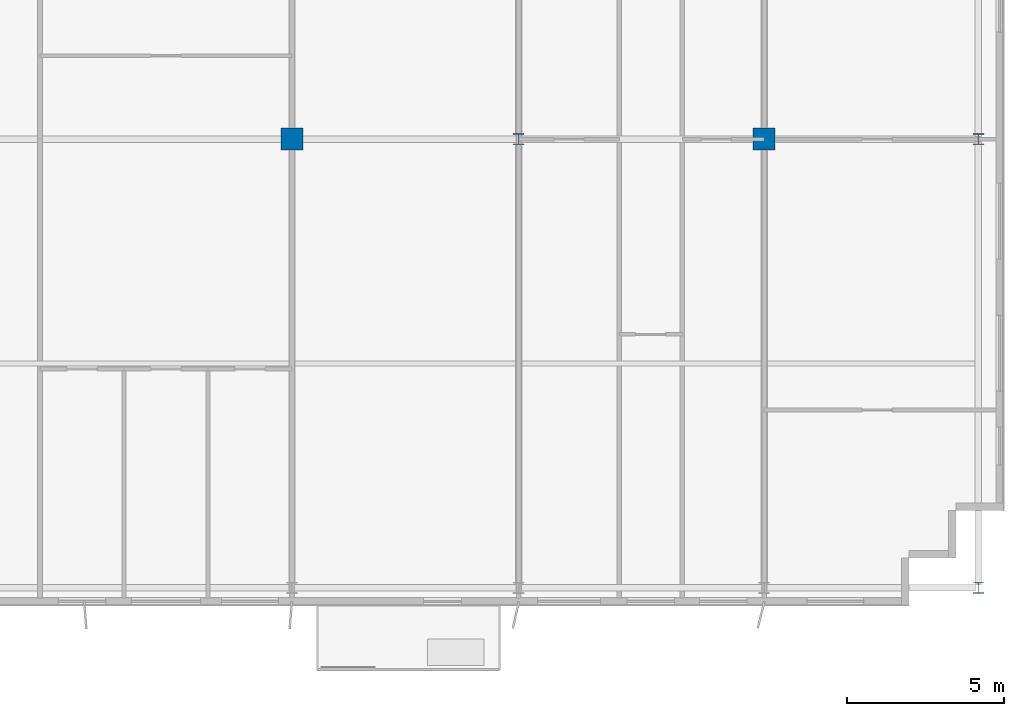
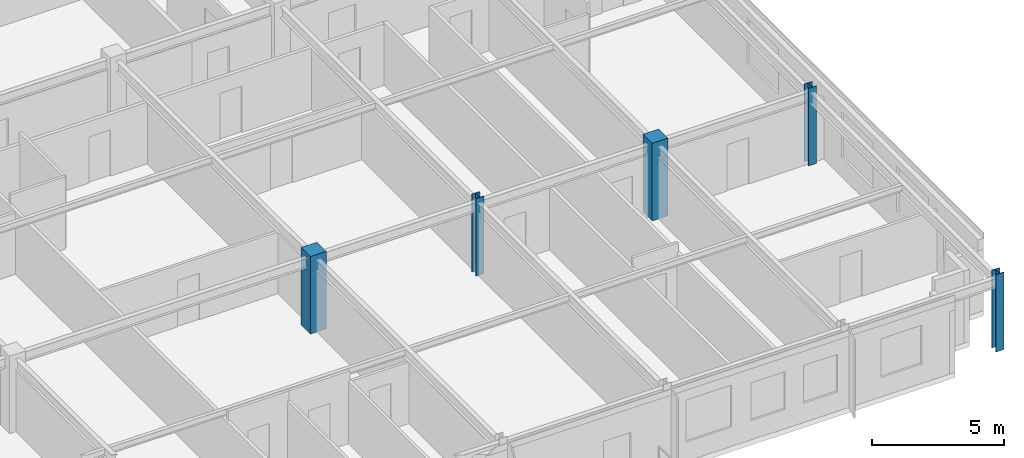
# One storey, part 2 of 23: 5 columns.
"""IFC4 building model written with IfcOpenShell, lengths in metres."""

from ifc_helpers import new_model, si_unit, direction, frame, origin, origin_2d, place, context, subcontext, project, spatial, rectangle, i_section, extrude, source, transform, mapped, material, material_profile, profile_set, type_object, element, save


model = new_model("IFC4")

# Units and contexts
model_context = context("Model", 3, precision=1e-05, world=origin(), true_north=direction((0.0, 1.0)))
body_context = subcontext(model_context, "Body", "Model", "MODEL_VIEW")
ifc_project = project(units=[si_unit("LENGTHUNIT", "METRE"), si_unit("AREAUNIT", "SQUARE_METRE"), si_unit("VOLUMEUNIT", "CUBIC_METRE"), si_unit("PLANEANGLEUNIT", "RADIAN"), si_unit("MASSUNIT", "GRAM", prefix="KILO")], contexts=[model_context])

# Site, building, storey
site_placement = place(None, origin())
site = spatial("IfcSite", under=ifc_project, at=site_placement, CompositionType="ELEMENT")
building_placement = place(site_placement, origin())
building = spatial("IfcBuilding", under=site, at=building_placement, Name="Trelvane Seafront Commons", CompositionType="ELEMENT")
storey_placement = place(building_placement, frame((0.0, 0.0, 212.10009765625)))
storey = spatial("IfcBuildingStorey", under=building, at=storey_placement, Name="L55", CompositionType="ELEMENT", Elevation=212.10009765625)

# Columns
ifc_material_1 = material(Name="Concrete C50/60", Category="concrete")
ifc_material_profile_1 = material_profile(ifc_material_1, rectangle(XDim=0.699951171875, YDim=0.699951171875, at=origin_2d()), Name="RC-700x700")
ifc_profile_set_1 = profile_set([ifc_material_profile_1], Name="Concrete C50/60")
column_type_1 = type_object("IfcColumnType", Name="STR-COL-RC700", PredefinedType="COLUMN", material=ifc_profile_set_1)
shared_shape_1 = source(origin(), body_context, "Body", "SweptSolid", [
    extrude(rectangle(XDim=0.699951171875, YDim=0.699951171875, at=origin_2d()), origin(), (0.0, 0.0, 1.0), 3.599853515625),
])
for number, where, z_axis, x_axis, name in (
    (1, (43.800048828125, 18.199951171875, 0.0), (0.0, 0.0, 1.0), (1.0, 0.0, 0.0), "L55 Column TC-M43.8"),
    (2, (58.800048828125, 18.199951171875, 0.0), (0.0, 0.0, 1.0), (1.0, 0.0, 0.0), "L55 Column TC-M58.8"),
):
    element("IfcColumn", number, at=place(storey_placement, frame(where, z_axis=z_axis, x_axis=x_axis)), inside=storey, type_object=column_type_1, Name=name, PredefinedType="COLUMN", context=body_context, shape_type="MappedRepresentation", body=[
        mapped(shared_shape_1, transform((0.0, 0.0, 0.0), x_axis=(1.0, 0.0, 0.0), y_axis=(0.0, 1.0, 0.0), z_axis=(0.0, 0.0, 1.0), scale=1.0)),
    ])
ifc_material_2 = material(Name="Steel SM355 (S355)", Category="steel")
ifc_material_profile_2 = material_profile(ifc_material_2, i_section(OverallWidth=0.35009765625, OverallDepth=0.35009765625, WebThickness=0.01806640625, FlangeThickness=0.028076171875, at=origin_2d()), Name="HD-350x350x18x28")
ifc_profile_set_2 = profile_set([ifc_material_profile_2], Name="Steel SM355 (S355)")
column_type_2 = type_object("IfcColumnType", Name="STR-COL-HD350", PredefinedType="COLUMN", material=ifc_profile_set_2)
shared_shape_2 = source(origin(), body_context, "Body", "SweptSolid", [
    extrude(i_section(OverallWidth=0.35009765625, OverallDepth=0.35009765625, WebThickness=0.01806640625, FlangeThickness=0.028076171875, at=origin_2d()), origin(), (0.0, 0.0, 1.0), 3.599853515625),
])
for number, where, z_axis, x_axis, name in (
    (3, (51.0, 18.199951171875, 0.0), (0.0, 0.0, 1.0), (1.0, 0.0, 0.0), "L55 Column TC-M51.0"),
    (4, (65.60009765625, 3.949951171875, 0.0), (0.0, 0.0, 1.0), (1.0, 0.0, 0.0), "L55 Column TC-S65.6"),
    (5, (65.60009765625, 18.199951171875, 0.0), (0.0, 0.0, 1.0), (1.0, 0.0, 0.0), "L55 Column TC-M65.6"),
):
    element("IfcColumn", number, at=place(storey_placement, frame(where, z_axis=z_axis, x_axis=x_axis)), inside=storey, type_object=column_type_2, Name=name, PredefinedType="COLUMN", context=body_context, shape_type="MappedRepresentation", body=[
        mapped(shared_shape_2, transform((0.0, 0.0, 0.0), x_axis=(1.0, 0.0, 0.0), y_axis=(0.0, 1.0, 0.0), z_axis=(0.0, 0.0, 1.0), scale=1.0)),
    ])

save(model, "model.ifc")
